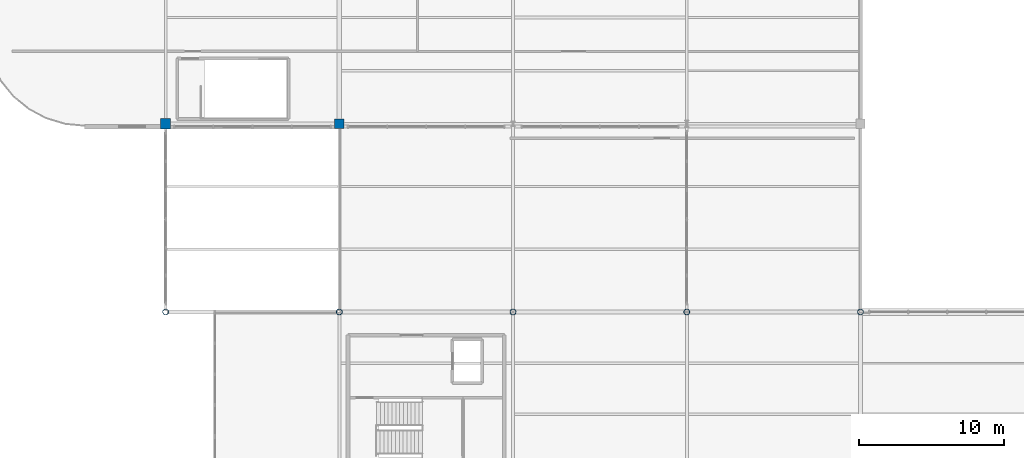
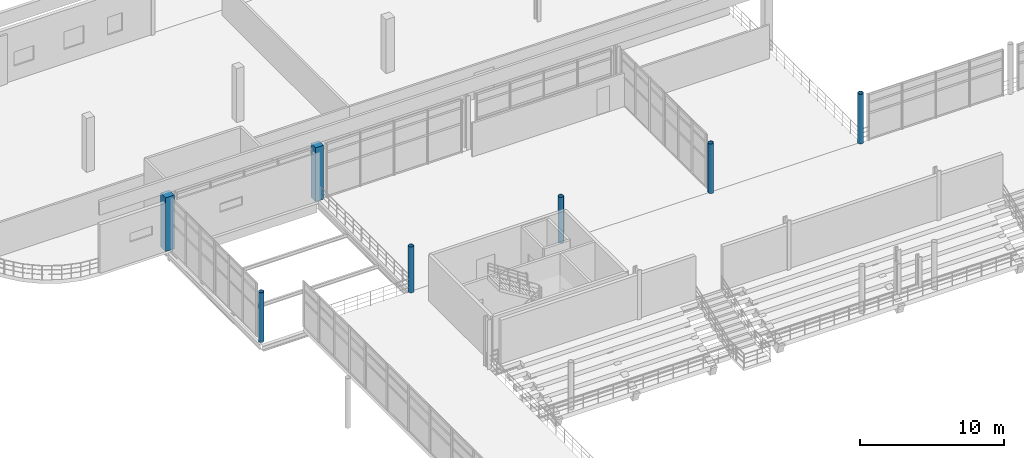
# One storey, part 9 of 89: 7 columns.
"""IFC4 building model written with IfcOpenShell, lengths in metres."""

from ifc_helpers import new_model, si_unit, direction, frame, origin, origin_2d, place, context, subcontext, project, spatial, rectangle, hollow_circle, extrude, material, material_profile, profile_set, type_object, element, save


model = new_model("IFC4")

# Units and contexts
model_context = context("Model", 3, precision=1e-05, world=origin(), true_north=direction((0.0, 1.0)))
body_context = subcontext(model_context, "Body", "Model", "MODEL_VIEW")
ifc_project = project(units=[si_unit("LENGTHUNIT", "METRE"), si_unit("AREAUNIT", "SQUARE_METRE"), si_unit("VOLUMEUNIT", "CUBIC_METRE"), si_unit("PLANEANGLEUNIT", "RADIAN"), si_unit("MASSUNIT", "GRAM", prefix="KILO"), si_unit("THERMODYNAMICTEMPERATUREUNIT", "KELVIN"), si_unit("POWERUNIT", "WATT")], contexts=[model_context])

# Site, building, storey
site_placement = place(None, origin())
site = spatial("IfcSite", under=ifc_project, at=site_placement, CompositionType="ELEMENT")
building_placement = place(site_placement, origin())
building = spatial("IfcBuilding", under=site, at=building_placement, Name="Solmara Park Aquatics Centre", CompositionType="ELEMENT")
storey_placement = place(building_placement, frame((0.0, 0.0, 5.39990234375)))
storey = spatial("IfcBuildingStorey", under=building, at=storey_placement, Name="L01", CompositionType="ELEMENT", Elevation=5.39990234375)

# Columns
ifc_material_1 = material(Name="Structural Steel S355", Category="steel")
ifc_material_profile_1 = material_profile(ifc_material_1, hollow_circle(Radius=0.203125, WallThickness=0.01611328125, at=origin_2d()), Name="CHS 406.4x16")
ifc_profile_set_1 = profile_set([ifc_material_profile_1], Name="Structural Steel S355")
column_type_1 = type_object("IfcColumnType", Name="STR-COL-CHS406", PredefinedType="COLUMN", material=ifc_profile_set_1)
column_1_placement = place(storey_placement, frame((12.60009765625, 72.60009765625, 0.0), z_axis=(0.0, 0.0, 1.0), x_axis=(1.0, 0.0, 0.0)))
element("IfcColumn", 1, at=column_1_placement, inside=storey, type_object=column_type_1, Name="Column L01-0324", PredefinedType="COLUMN", context=body_context, shape_type="SweptSolid", body=[
    extrude(hollow_circle(Radius=0.203125, WallThickness=0.01611328125, at=origin_2d()), origin(), (0.0, 0.0, 1.0), 4.2001953125),
])
for number, where, z_axis, x_axis, name in (
    (2, (24.60009765625, 72.60009765625, 0.0), (0.0, 0.0, 1.0), (1.0, 0.0, 0.0), "Column L01-0331"),
    (3, (36.60009765625, 72.60009765625, 0.0), (0.0, 0.0, 1.0), (1.0, 0.0, 0.0), "Column L01-0341"),
):
    element("IfcColumn", number, at=place(storey_placement, frame(where, z_axis=z_axis, x_axis=x_axis)), inside=storey, type_object=column_type_1, Name=name, PredefinedType="COLUMN", context=body_context, shape_type="SweptSolid", body=[
        extrude(hollow_circle(Radius=0.203125, WallThickness=0.01611328125, at=origin_2d()), origin(), (0.0, 0.0, 1.0), 3.880126953125),
    ])
for number, where, z_axis, x_axis, name in (
    (4, (48.60009765625, 72.60009765625, 0.0), (0.0, 0.0, 1.0), (1.0, 0.0, 0.0), "Column L01-0351"),
    (5, (60.60009765625, 72.60009765625, 0.0), (0.0, 0.0, 1.0), (1.0, 0.0, 0.0), "Column L01-0361"),
):
    element("IfcColumn", number, at=place(storey_placement, frame(where, z_axis=z_axis, x_axis=x_axis)), inside=storey, type_object=column_type_1, Name=name, PredefinedType="COLUMN", context=body_context, shape_type="SweptSolid", body=[
        extrude(hollow_circle(Radius=0.203125, WallThickness=0.01611328125, at=origin_2d()), origin(), (0.0, 0.0, 1.0), 4.2001953125),
    ])
ifc_material_2 = material(Name="Concrete C40/50", Category="concrete")
ifc_material_profile_2 = material_profile(ifc_material_2, rectangle(XDim=0.64990234375, YDim=0.64990234375, at=origin_2d()), Name="RC 650x650")
ifc_profile_set_2 = profile_set([ifc_material_profile_2], Name="Concrete C40/50")
column_type_2 = type_object("IfcColumnType", Name="STR-COL-RC650", PredefinedType="COLUMN", material=ifc_profile_set_2)
column_2_placement = place(storey_placement, frame((24.60009765625, 85.60009765625, 0.0), z_axis=(0.0, 0.0, 1.0), x_axis=(1.0, 0.0, 0.0)))
element("IfcColumn", 6, at=column_2_placement, inside=storey, type_object=column_type_2, Name="Column L01-0332", PredefinedType="COLUMN", context=body_context, shape_type="SweptSolid", body=[
    extrude(rectangle(XDim=0.64990234375, YDim=0.64990234375, at=origin_2d()), origin(), (0.0, 0.0, 1.0), 4.56005859375),
])
ifc_material_profile_3 = material_profile(ifc_material_2, rectangle(XDim=0.699951171875, YDim=0.699951171875, at=origin_2d()), Name="RC 700x700")
ifc_profile_set_3 = profile_set([ifc_material_profile_3], Name="Concrete C40/50")
column_type_3 = type_object("IfcColumnType", Name="STR-COL-RC700", PredefinedType="COLUMN", material=ifc_profile_set_3)
column_3_placement = place(storey_placement, frame((12.60009765625, 85.60009765625, 0.0), z_axis=(0.0, 0.0, 1.0), x_axis=(1.0, 0.0, 0.0)))
element("IfcColumn", 7, at=column_3_placement, inside=storey, type_object=column_type_3, Name="Column L01-0325", PredefinedType="COLUMN", context=body_context, shape_type="SweptSolid", body=[
    extrude(rectangle(XDim=0.699951171875, YDim=0.699951171875, at=origin_2d()), origin(), (0.0, 0.0, 1.0), 4.56005859375),
])

save(model, "model.ifc")
